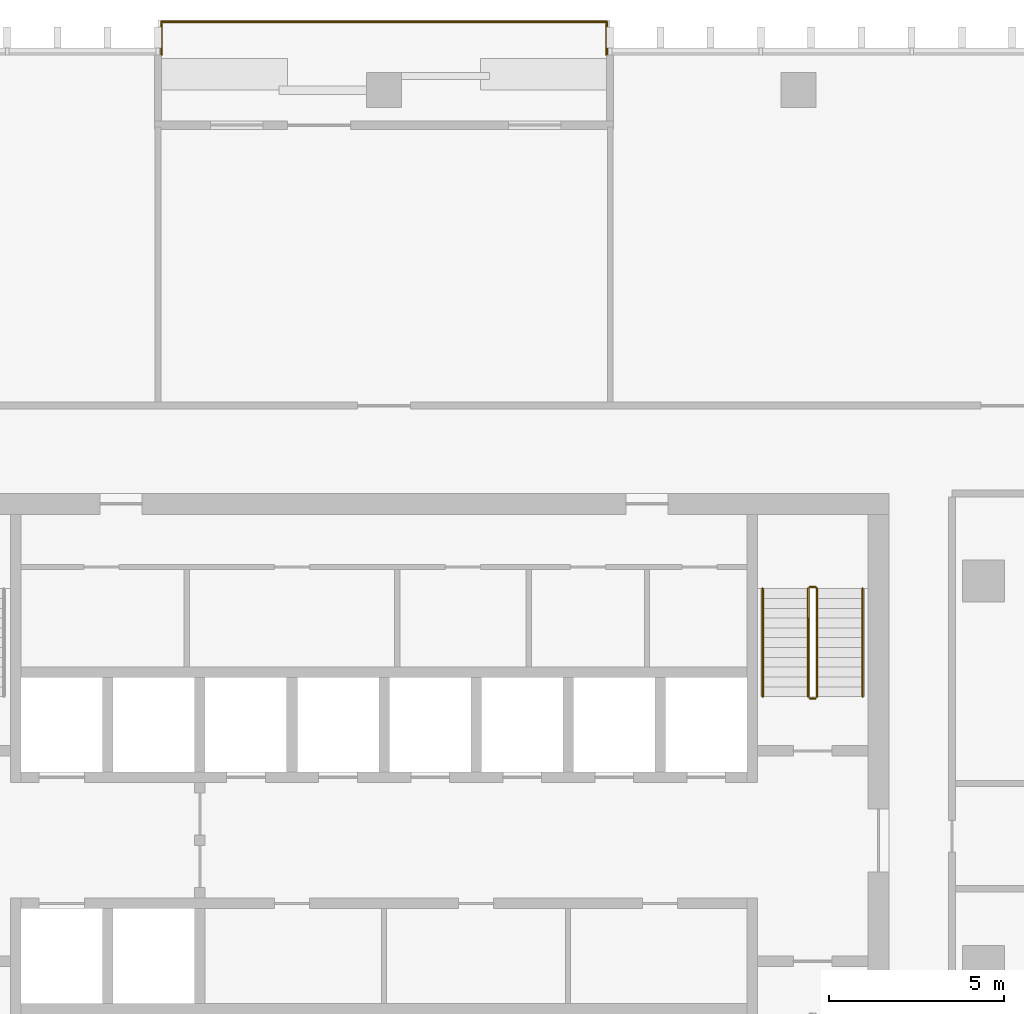
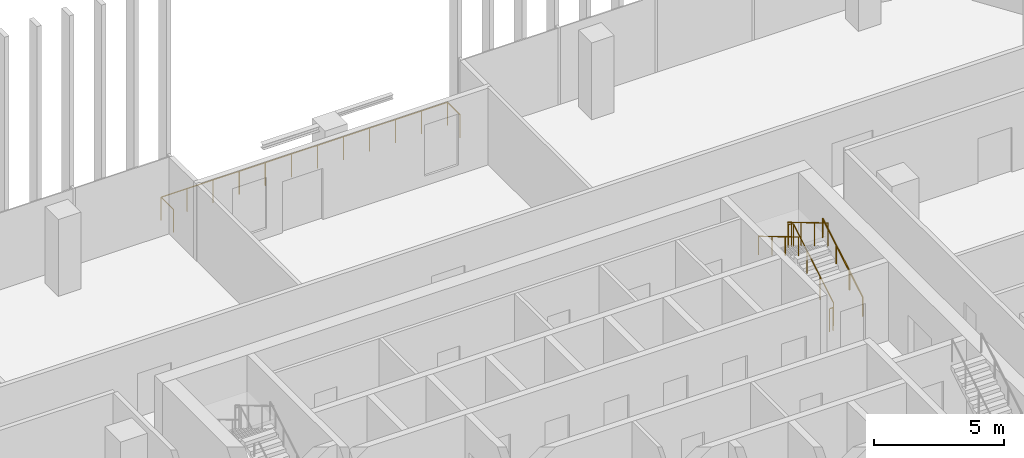
# One storey, part 15 of 16: 6 railings.
"""IFC4 building model written with IfcOpenShell, lengths in metres."""

import ifcopenshell
import ifcopenshell.guid

model = None  # the IFC model being written
_history = None  # IfcOwnerHistory: only IFC2X3 demands one
_inside = {}  # id of a spatial element -> (the spatial element, [elements in it])
_under = {}  # id of a project, library or spatial element -> (it, [spatial elements below it])
_declared = {}  # id of a project -> (the project, [libraries it declares])
_typed = {}  # id of a type object -> (the type object, [elements of that type])
_made_of = {}  # id of a material, layer set ... -> (it, [elements and type objects made of it])


def new_model(schema):
    """Start an empty IFC model of exactly this schema.

    Asked for "IFC4X3", IfcOpenShell would pick the latest addendum, in which some entities
    have other attributes; the version numbers below select the first issue.
    IFC2X3 requires an IfcOwnerHistory on every rooted entity: one is made here for all.
    """
    global model, _history
    if schema == "IFC4X3":
        model = ifcopenshell.file(schema_version=(4, 3, 0, 0))
    else:
        model = ifcopenshell.file(schema=schema)
    _inside.clear()
    _under.clear()
    _declared.clear()
    _typed.clear()
    _made_of.clear()
    _history = None
    if model.schema == "IFC2X3":
        org = make("IfcOrganization", Name="unknown")
        user = make(
            "IfcPersonAndOrganization",
            ThePerson=make("IfcPerson", FamilyName="unknown"),
            TheOrganization=org,
        )
        app = make(
            "IfcApplication",
            ApplicationDeveloper=org,
            Version="unknown",
            ApplicationFullName="unknown",
            ApplicationIdentifier="unknown",
        )
        _history = make(
            "IfcOwnerHistory",
            OwningUser=user,
            OwningApplication=app,
            ChangeAction="ADDED",
            CreationDate=0,
        )
    return model


def make(cls, **values):
    """One entity of the class cls with the attributes given. An attribute that is None is left unset."""
    return model.create_entity(
        cls, **{name: value for name, value in values.items() if value is not None}
    )


def rooted(cls, **values):
    """An entity with a GlobalId (a new one), such as an element, a storey or a relation."""
    return make(cls, GlobalId=ifcopenshell.guid.new(), OwnerHistory=_history, **values)


def si_unit(unit_type, name, prefix=None):
    """IfcSIUnit, for example si_unit("LENGTHUNIT", "METRE", prefix="MILLI")."""
    return make("IfcSIUnit", UnitType=unit_type, Prefix=prefix, Name=name)


def assignment(units):
    """IfcUnitAssignment: the units of a project."""
    return None if units is None else make("IfcUnitAssignment", Units=units)


def point(xyz):
    """IfcCartesianPoint."""
    return None if xyz is None else make("IfcCartesianPoint", Coordinates=xyz)


def direction(xyz):
    """IfcDirection."""
    return None if xyz is None else make("IfcDirection", DirectionRatios=xyz)


def frame(location, z_axis=None, x_axis=None):
    """IfcAxis2Placement3D, a coordinate frame: its origin and axes. An axis left out is left unset."""
    return make(
        "IfcAxis2Placement3D",
        Location=point(location),
        Axis=direction(z_axis),
        RefDirection=direction(x_axis),
    )


def frame_2d(location, x_axis=None):
    """IfcAxis2Placement2D, a coordinate frame in the plane: its origin and x axis."""
    return make(
        "IfcAxis2Placement2D", Location=point(location), RefDirection=direction(x_axis)
    )


def origin():
    """The frame at (0, 0, 0) with its axes left unset."""
    return frame((0.0, 0.0, 0.0))


def origin_2d():
    """The frame at (0, 0) in the plane with its x axis left unset."""
    return frame_2d((0.0, 0.0))


def place(relative_to, where):
    """IfcLocalPlacement: puts the frame where relative to a parent placement (None: the world)."""
    return make(
        "IfcLocalPlacement", PlacementRelTo=relative_to, RelativePlacement=where
    )


def context(
    kind, dimensions, precision=None, world=None, true_north=None, identifier=None
):
    """IfcGeometricRepresentationContext, for example the 3D "Model" context."""
    return make(
        "IfcGeometricRepresentationContext",
        ContextIdentifier=identifier,
        ContextType=kind,
        CoordinateSpaceDimension=dimensions,
        Precision=precision,
        WorldCoordinateSystem=world,
        TrueNorth=true_north,
    )


def subcontext(parent, identifier, kind, view, scale=None):
    """IfcGeometricRepresentationSubContext, for example "Body" below "Model"."""
    return make(
        "IfcGeometricRepresentationSubContext",
        ContextIdentifier=identifier,
        ContextType=kind,
        ParentContext=parent,
        TargetScale=scale,
        TargetView=view,
    )


def project(units=None, contexts=None):
    """IfcProject with its units and contexts."""
    return rooted(
        "IfcProject",
        Name="project",
        RepresentationContexts=contexts,
        UnitsInContext=assignment(units),
    )


def spatial(cls, under=None, at=None, **own):
    """A site, building, storey or space (cls), placed at a placement, below another one or the project."""
    s = rooted(cls, ObjectPlacement=at, **own)
    if under is not None:
        _under.setdefault(under.id(), (under, []))[1].append(s)
    return s


def profile(cls, at=None, kind="AREA", **sizes):
    """A parametric profile (cls). Its sizes go by their IFC names, for example OverallWidth=200.0."""
    return make(cls, ProfileType=kind, Position=at, **sizes)


def circle(**sizes):
    """IfcCircleProfileDef."""
    return profile("IfcCircleProfileDef", **sizes)


def extrude(swept, where, along, depth):
    """IfcExtrudedAreaSolid: the profile swept, set in the frame where, extruded along a direction by depth."""
    return make(
        "IfcExtrudedAreaSolid",
        SweptArea=swept,
        Position=where,
        ExtrudedDirection=direction(along),
        Depth=depth,
    )


def shape(context_of_items, identifier, shape_type, items):
    """IfcShapeRepresentation: the items that make up one representation, for example the "Body"."""
    return make(
        "IfcShapeRepresentation",
        ContextOfItems=context_of_items,
        RepresentationIdentifier=identifier,
        RepresentationType=shape_type,
        Items=items,
    )


def material(Name=None, Category=None):
    """IfcMaterial."""
    return make("IfcMaterial", Name=Name, Category=Category)


def made_of(thing, what):
    """Note that an element or type object is made of a material, layer set ...; save() writes the relation."""
    if what is not None:
        _made_of.setdefault(what.id(), (what, []))[1].append(thing)
    return thing


def type_object(cls, material=None, **own):
    """A type object (cls), such as IfcWallType, which elements share."""
    return made_of(rooted(cls, **own), material)


def element(
    cls,
    number,
    at=None,
    inside=None,
    cuts=None,
    type_object=None,
    material=None,
    context=None,
    identifier="Body",
    shape_type=None,
    held_by="IfcProductDefinitionShape",
    body=None,
    shapes=None,
    **own,
):
    """One element of the class cls, such as IfcWall. Its Tag is "e" and its number.

    at: its placement. inside: the storey or other place that contains it. cuts: it is an
    opening in that element (IfcRelVoidsElement). A single representation is given by context,
    identifier, shape_type and body (its items); several are given by shapes. held_by: the class
    of the entity that holds the representations. save() writes the other relations.
    """
    e = rooted(cls, Tag="e%d" % number, ObjectPlacement=at, **own)
    if body is not None:
        shapes = [shape(context, identifier, shape_type, body)]
    if shapes is not None:
        e.Representation = make(held_by, Representations=shapes)
    if inside is not None:
        _inside.setdefault(inside.id(), (inside, []))[1].append(e)
    if cuts is not None:
        rooted(
            "IfcRelVoidsElement", RelatingBuildingElement=cuts, RelatedOpeningElement=e
        )
    if type_object is not None:
        _typed.setdefault(type_object.id(), (type_object, []))[1].append(e)
    return made_of(e, material)


def aggregate(whole, parts):
    """IfcRelAggregates: a whole, such as a stair, and the parts it consists of."""
    return rooted("IfcRelAggregates", RelatingObject=whole, RelatedObjects=parts)


def save(model, path):
    """Write the relations noted so far, then the file.

    IfcRelAggregates (storeys below a building ...), IfcRelContainedInSpatialStructure (elements
    in a storey), IfcRelDefinesByType, IfcRelAssociatesMaterial and IfcRelDeclares: one each for
    every whole, place, type object, material and project.
    """
    for whole, parts in _under.values():
        aggregate(whole, parts)
    for where, things in _inside.values():
        rooted(
            "IfcRelContainedInSpatialStructure",
            RelatedElements=things,
            RelatingStructure=where,
        )
    for kind, things in _typed.values():
        rooted("IfcRelDefinesByType", RelatedObjects=things, RelatingType=kind)
    for what, things in _made_of.values():
        rooted("IfcRelAssociatesMaterial", RelatedObjects=things, RelatingMaterial=what)
    for by, libraries in _declared.values():
        rooted("IfcRelDeclares", RelatingContext=by, RelatedDefinitions=libraries)
    model.write(path)


model = new_model("IFC4")

# Units and contexts
model_context = context("Model", 3, precision=1e-05, world=origin(), true_north=direction((0.0, 1.0)))
body_context = subcontext(model_context, "Body", "Model", "MODEL_VIEW")
ifc_project = project(units=[si_unit("LENGTHUNIT", "METRE"), si_unit("AREAUNIT", "SQUARE_METRE"), si_unit("VOLUMEUNIT", "CUBIC_METRE"), si_unit("PLANEANGLEUNIT", "RADIAN"), si_unit("MASSUNIT", "GRAM", prefix="KILO")], contexts=[model_context])

# Site, building, storey
site_placement = place(None, origin())
site = spatial("IfcSite", under=ifc_project, at=site_placement, CompositionType="ELEMENT")
building_placement = place(site_placement, origin())
building = spatial("IfcBuilding", under=site, at=building_placement, Name="Mopane Tessera Tower", CompositionType="ELEMENT")
storey_placement = place(building_placement, frame((0.0, 0.0, 267.39990234375)))
storey = spatial("IfcBuildingStorey", under=building, at=storey_placement, Name="L57", CompositionType="ELEMENT", Elevation=267.39990234375)

# Railings
ifc_material_1 = material(Name="Powder-coated steel balustrade", Category="steel")
railing_type_1 = type_object("IfcRailingType", Name="Escape stair guard 1100 mm", PredefinedType="GUARDRAIL", material=ifc_material_1)
railing_1_placement = place(storey_placement, frame((12.35009765625, 7.699951171875, 0.166748046875)))
element("IfcRailing", 1, at=railing_1_placement, inside=storey, type_object=railing_type_1, Name="L57 ST4 stair guard 1", PredefinedType="GUARDRAIL", context=body_context, shape_type="SweptSolid", body=[
    extrude(circle(Radius=0.02392578125, at=origin_2d()), frame((0.0, 0.0, 1.076171875), z_axis=(0.0, 0.859308565015, 0.511457515432), x_axis=(-1.0, 0.0, 0.0)), (0.0, 0.0, 1.0), 3.58447265625),
    extrude(circle(Radius=0.02392578125, at=origin_2d()), frame((0.0, 3.080078125, 2.9091796875), z_axis=(-0.707106781187, 0.707106781187, 0.0), x_axis=(-0.707106781187, -0.707106781187, 0.0)), (0.0, 0.0, 1.0), 0.07080078125),
    extrude(circle(Radius=0.02392578125, at=origin_2d()), frame((-0.050048828125, 3.130126953125, 2.9091796875), z_axis=(-1.0, 0.0, 0.0), x_axis=(0.0, -1.0, 0.0)), (0.0, 0.0, 1.0), 0.150146484375),
    extrude(circle(Radius=0.02099609375, at=origin_2d()), origin(), (0.0, 0.0, 1.0), 1.052001953125),
    extrude(circle(Radius=0.02099609375, at=origin_2d()), frame((0.0, 1.026611328125, 0.611083984375)), (0.0, 0.0, 1.0), 1.052001953125),
    extrude(circle(Radius=0.02099609375, at=origin_2d()), frame((0.0, 2.053466796875, 1.22216796875)), (0.0, 0.0, 1.0), 1.052001953125),
    extrude(circle(Radius=0.02099609375, at=origin_2d()), frame((0.0, 3.080078125, 1.833251953125)), (0.0, 0.0, 1.0), 1.052001953125),
    extrude(circle(Radius=0.02099609375, at=origin_2d()), frame((-0.050048828125, 3.130126953125, 1.833251953125)), (0.0, 0.0, 1.0), 1.052001953125),
    extrude(circle(Radius=0.02099609375, at=origin_2d()), frame((-0.2001953125, 3.130126953125, 1.833251953125)), (0.0, 0.0, 1.0), 1.052001953125),
])
railing_2_placement = place(storey_placement, frame((12.10009765625, 10.780029296875, 2.166748046875)))
element("IfcRailing", 2, at=railing_2_placement, inside=storey, type_object=railing_type_1, Name="L57 ST4 stair guard 2", PredefinedType="GUARDRAIL", context=body_context, shape_type="SweptSolid", body=[
    extrude(circle(Radius=0.02392578125, at=origin_2d()), frame((0.0, 0.0, 1.076171875), z_axis=(0.0, -0.859308565015, 0.511457515432), x_axis=(1.0, 0.0, 0.0)), (0.0, 0.0, 1.0), 3.58447265625),
    extrude(circle(Radius=0.02099609375, at=origin_2d()), origin(), (0.0, 0.0, 1.0), 1.052001953125),
    extrude(circle(Radius=0.02099609375, at=origin_2d()), frame((0.0, -1.026611328125, 0.611083984375)), (0.0, 0.0, 1.0), 1.052001953125),
    extrude(circle(Radius=0.02099609375, at=origin_2d()), frame((0.0, -2.053466796875, 1.22216796875)), (0.0, 0.0, 1.0), 1.052001953125),
    extrude(circle(Radius=0.02099609375, at=origin_2d()), frame((0.0, -3.080078125, 1.833251953125)), (0.0, 0.0, 1.0), 1.052001953125),
])
railing_3_placement = place(storey_placement, frame((12.300048828125, 7.64990234375, 0.0)))
element("IfcRailing", 3, at=railing_3_placement, inside=storey, type_object=railing_type_1, Name="L57 ST4 stair guard 3", PredefinedType="GUARDRAIL", context=body_context, shape_type="SweptSolid", body=[
    extrude(circle(Radius=0.02392578125, at=origin_2d()), frame((0.0, 0.0, 1.076171875), z_axis=(-1.0, 0.0, 0.0), x_axis=(0.0, -1.0, 0.0)), (0.0, 0.0, 1.0), 0.150146484375),
    extrude(circle(Radius=0.02099609375, at=origin_2d()), origin(), (0.0, 0.0, 1.0), 1.052001953125),
    extrude(circle(Radius=0.02099609375, at=origin_2d()), frame((-0.150146484375, 0.0, 0.0)), (0.0, 0.0, 1.0), 1.052001953125),
])
ifc_material_2 = material(Name="Powder-coated steel balustrade", Category="steel")
railing_type_2 = type_object("IfcRailingType", Name="Escape stair handrail 900 mm", PredefinedType="HANDRAIL", material=ifc_material_2)
railing_4_placement = place(storey_placement, frame((13.64990234375, 7.699951171875, 0.166748046875)))
element("IfcRailing", 4, at=railing_4_placement, inside=storey, type_object=railing_type_2, Name="L57 ST4 stair handrail 1", PredefinedType="HANDRAIL", context=body_context, shape_type="SweptSolid", body=[
    extrude(circle(Radius=0.02392578125, at=origin_2d()), frame((0.0, 0.0, 0.8759765625), z_axis=(0.0, 0.859308565015, 0.511457515432), x_axis=(-1.0, 0.0, 0.0)), (0.0, 0.0, 1.0), 3.58447265625),
    extrude(circle(Radius=0.02099609375, at=origin_2d()), origin(), (0.0, 0.0, 1.0), 0.851806640625),
    extrude(circle(Radius=0.02099609375, at=origin_2d()), frame((0.0, 1.026611328125, 0.611083984375)), (0.0, 0.0, 1.0), 0.851806640625),
    extrude(circle(Radius=0.02099609375, at=origin_2d()), frame((0.0, 2.053466796875, 1.22216796875)), (0.0, 0.0, 1.0), 0.851806640625),
    extrude(circle(Radius=0.02099609375, at=origin_2d()), frame((0.0, 3.080078125, 1.833251953125)), (0.0, 0.0, 1.0), 0.851806640625),
])
railing_5_placement = place(storey_placement, frame((10.800048828125, 10.780029296875, 2.166748046875)))
element("IfcRailing", 5, at=railing_5_placement, inside=storey, type_object=railing_type_2, Name="L57 ST4 stair handrail 2", PredefinedType="HANDRAIL", context=body_context, shape_type="SweptSolid", body=[
    extrude(circle(Radius=0.02392578125, at=origin_2d()), frame((0.0, 0.0, 0.8759765625), z_axis=(0.0, -0.859308565015, 0.511457515432), x_axis=(1.0, 0.0, 0.0)), (0.0, 0.0, 1.0), 3.58447265625),
    extrude(circle(Radius=0.02099609375, at=origin_2d()), origin(), (0.0, 0.0, 1.0), 0.851806640625),
    extrude(circle(Radius=0.02099609375, at=origin_2d()), frame((0.0, -1.026611328125, 0.611083984375)), (0.0, 0.0, 1.0), 0.851806640625),
    extrude(circle(Radius=0.02099609375, at=origin_2d()), frame((0.0, -2.053466796875, 1.22216796875)), (0.0, 0.0, 1.0), 0.851806640625),
    extrude(circle(Radius=0.02099609375, at=origin_2d()), frame((0.0, -3.080078125, 1.833251953125)), (0.0, 0.0, 1.0), 0.851806640625),
])
ifc_material_3 = material(Name="Stainless steel S316", Category="steel")
railing_type_3 = type_object("IfcRailingType", Name="Terrace guard 1100", PredefinedType="GUARDRAIL", material=ifc_material_3)
railing_6_placement = place(storey_placement, frame((6.35009765625, 26.0, 0.0)))
element("IfcRailing", 6, at=railing_6_placement, inside=storey, type_object=railing_type_3, Name="e:nw:L57:N2:guard", PredefinedType="GUARDRAIL", context=body_context, shape_type="SweptSolid", body=[
    extrude(circle(Radius=0.02392578125, at=origin_2d()), frame((0.0, 0.0, 1.076171875), z_axis=(0.0, 1.0, 0.0), x_axis=(-1.0, 0.0, 0.0)), (0.0, 0.0, 1.0), 0.949951171875),
    extrude(circle(Radius=0.02392578125, at=origin_2d()), frame((0.0, 0.949951171875, 1.076171875), z_axis=(-1.0, 0.0, 0.0), x_axis=(0.0, -1.0, 0.0)), (0.0, 0.0, 1.0), 12.7001953125),
    extrude(circle(Radius=0.02392578125, at=origin_2d()), frame((-12.7001953125, 0.949951171875, 1.076171875), z_axis=(0.0, -1.0, 0.0), x_axis=(1.0, 0.0, 0.0)), (0.0, 0.0, 1.0), 0.949951171875),
    extrude(circle(Radius=0.02099609375, at=origin_2d()), origin(), (0.0, 0.0, 1.0), 1.052001953125),
    extrude(circle(Radius=0.02099609375, at=origin_2d()), frame((0.0, 0.949951171875, 0.0)), (0.0, 0.0, 1.0), 1.052001953125),
    extrude(circle(Radius=0.02099609375, at=origin_2d()), frame((-1.154541015625, 0.949951171875, 0.0)), (0.0, 0.0, 1.0), 1.052001953125),
    extrude(circle(Radius=0.02099609375, at=origin_2d()), frame((-2.30908203125, 0.949951171875, 0.0)), (0.0, 0.0, 1.0), 1.052001953125),
    extrude(circle(Radius=0.02099609375, at=origin_2d()), frame((-3.463623046875, 0.949951171875, 0.0)), (0.0, 0.0, 1.0), 1.052001953125),
    extrude(circle(Radius=0.02099609375, at=origin_2d()), frame((-4.6181640625, 0.949951171875, 0.0)), (0.0, 0.0, 1.0), 1.052001953125),
    extrude(circle(Radius=0.02099609375, at=origin_2d()), frame((-5.772705078125, 0.949951171875, 0.0)), (0.0, 0.0, 1.0), 1.052001953125),
    extrude(circle(Radius=0.02099609375, at=origin_2d()), frame((-6.927490234375, 0.949951171875, 0.0)), (0.0, 0.0, 1.0), 1.052001953125),
    extrude(circle(Radius=0.02099609375, at=origin_2d()), frame((-8.08203125, 0.949951171875, 0.0)), (0.0, 0.0, 1.0), 1.052001953125),
    extrude(circle(Radius=0.02099609375, at=origin_2d()), frame((-9.236572265625, 0.949951171875, 0.0)), (0.0, 0.0, 1.0), 1.052001953125),
    extrude(circle(Radius=0.02099609375, at=origin_2d()), frame((-10.39111328125, 0.949951171875, 0.0)), (0.0, 0.0, 1.0), 1.052001953125),
    extrude(circle(Radius=0.02099609375, at=origin_2d()), frame((-11.545654296875, 0.949951171875, 0.0)), (0.0, 0.0, 1.0), 1.052001953125),
    extrude(circle(Radius=0.02099609375, at=origin_2d()), frame((-12.7001953125, 0.949951171875, 0.0)), (0.0, 0.0, 1.0), 1.052001953125),
    extrude(circle(Radius=0.02099609375, at=origin_2d()), frame((-12.7001953125, 0.0, 0.0)), (0.0, 0.0, 1.0), 1.052001953125),
])

save(model, "model.ifc")
